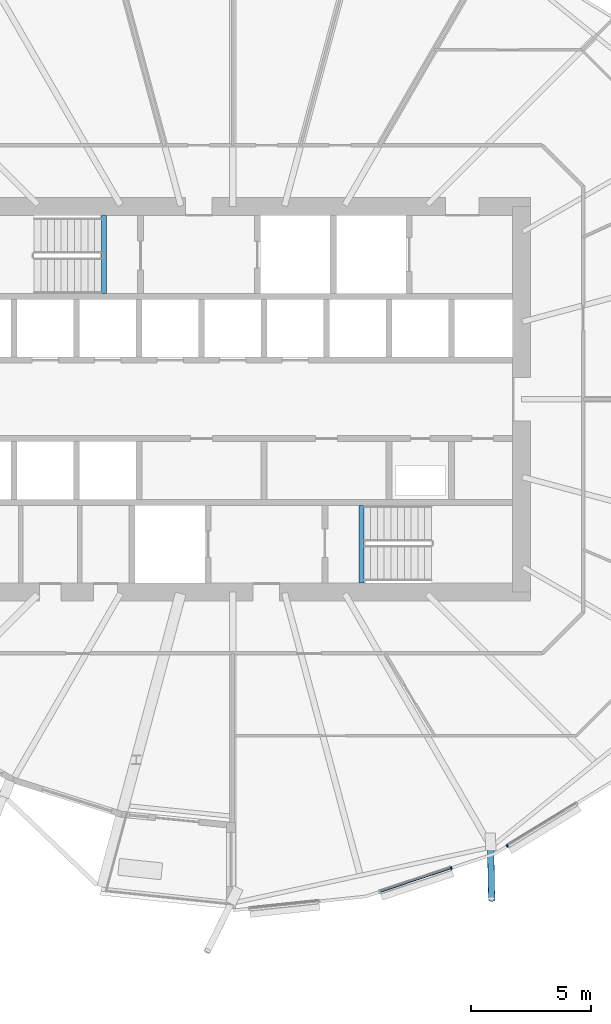
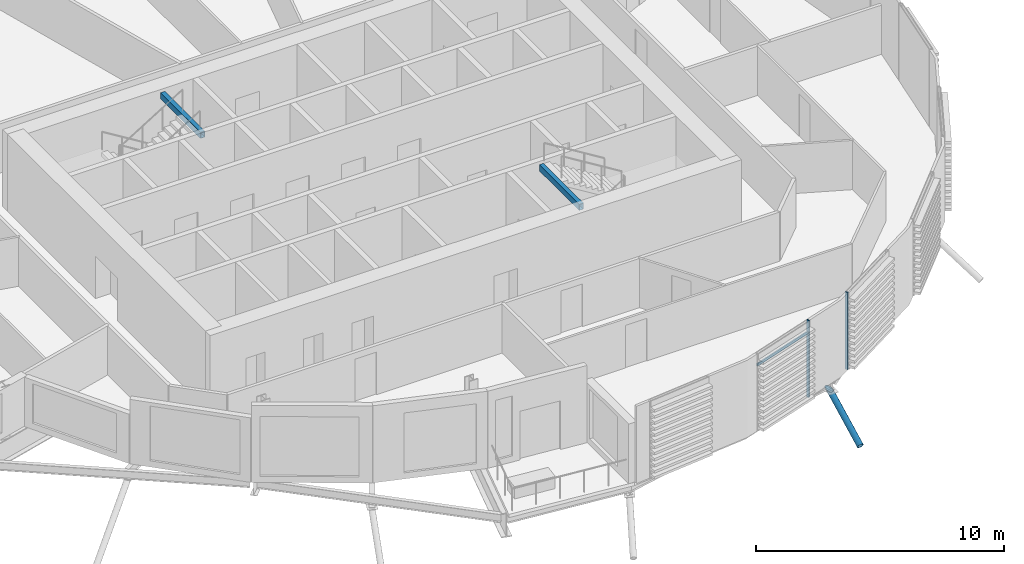
# One storey, part 6 of 43: 4 members, 2 beams, 1 element without a shape of its own.
"""IFC4 building model written with IfcOpenShell, lengths in metres."""

from ifc_helpers import new_model, si_unit, direction, frame, origin, origin_2d, place, context, subcontext, project, spatial, rectangle, hollow_rectangle, hollow_circle, extrude, clip, halfspace, material, material_profile, profile_set, type_object, element, aggregate, save


model = new_model("IFC4")

# Units and contexts
model_context = context("Model", 3, precision=1e-05, world=origin(), true_north=direction((0.0, 1.0)))
body_context = subcontext(model_context, "Body", "Model", "MODEL_VIEW")
ifc_project = project(units=[si_unit("LENGTHUNIT", "METRE"), si_unit("AREAUNIT", "SQUARE_METRE"), si_unit("VOLUMEUNIT", "CUBIC_METRE"), si_unit("PLANEANGLEUNIT", "RADIAN"), si_unit("MASSUNIT", "GRAM", prefix="KILO")], contexts=[model_context])

# Site, building, storey
site_placement = place(None, origin())
site = spatial("IfcSite", under=ifc_project, at=site_placement, CompositionType="ELEMENT")
building_placement = place(site_placement, origin())
building = spatial("IfcBuilding", under=site, at=building_placement, Name="Rimbun Link Towers", CompositionType="ELEMENT")
storey_placement = place(building_placement, frame((0.0, 0.0, 81.60009765625)))
storey = spatial("IfcBuildingStorey", under=building, at=storey_placement, Name="L19", CompositionType="ELEMENT", Elevation=81.60009765625)

# Curtain wall, members
ifc_material_1 = material(Name="Aluminium 6063-T6 and low-iron glass", Category="aluminium")
curtain_wall_type = type_object("IfcCurtainWallType", Name="CW1-Z2 unitised vision wall (zone 2)", PredefinedType="NOTDEFINED", material=ifc_material_1)
curtain_wall_placement = place(storey_placement, origin())
curtain_wall = element("IfcCurtainWall", 1, at=curtain_wall_placement, inside=storey, type_object=curtain_wall_type, Name="CW1 L19 T1", PredefinedType="NOTDEFINED")
ifc_material_2 = material(Name="Aluminium 6063-T6", Category="aluminium")
ifc_material_profile_1 = material_profile(ifc_material_2, rectangle(XDim=0.1201171875, YDim=0.06005859375, at=origin_2d()), Name="MULLION 60X120")
ifc_profile_set_1 = profile_set([ifc_material_profile_1], Name="Aluminium 6063-T6")
member_type_1 = type_object("IfcMemberType", Name="CW1 mullion 60X120", PredefinedType="MULLION", material=ifc_profile_set_1)
member_1_placement = place(storey_placement, frame((-22.6728515625, -19.468017578125, 0.0), z_axis=(0.0, 0.0, 1.0), x_axis=(0.314576015911, -0.949232284646, 0.0)))
member_1 = element("IfcMember", 2, at=member_1_placement, type_object=member_type_1, Name="CW1 mullion", PredefinedType="MULLION", context=body_context, shape_type="SweptSolid", body=[
    extrude(rectangle(XDim=0.1201171875, YDim=0.06005859375, at=origin_2d()), origin(), (0.0, 0.0, 1.0), 3.7998046875),
])
member_2_placement = place(storey_placement, frame((-20.345458984375, -18.550537109375, 0.0), z_axis=(0.0, 0.0, 1.0), x_axis=(0.523237248968, -0.852187057689, 0.0)))
member_2 = element("IfcMember", 3, at=member_2_placement, type_object=member_type_1, Name="CW1 mullion", PredefinedType="MULLION", context=body_context, shape_type="SweptSolid", body=[
    extrude(rectangle(XDim=0.1201171875, YDim=0.06005859375, at=origin_2d()), origin(), (0.0, 0.0, 1.0), 3.7998046875),
])
ifc_material_3 = material(Name="Aluminium 6063-T6", Category="aluminium")
ifc_material_profile_2 = material_profile(ifc_material_3, rectangle(XDim=0.06005859375, YDim=0.1201171875, at=origin_2d()), Name="TRANSOM 60X120")
ifc_profile_set_2 = profile_set([ifc_material_profile_2], Name="Aluminium 6063-T6")
member_type_2 = type_object("IfcMemberType", Name="CW1 transom 60X120", PredefinedType="USERDEFINED", material=ifc_profile_set_2)
member_3_placement = place(storey_placement, frame((-22.701904296875, -19.4755859375, 3.199951171875), z_axis=(-0.949238148414, -0.314558321452, 0.0), x_axis=(0.314558321452, -0.949238148414, 0.0)))
member_3 = element("IfcMember", 4, at=member_3_placement, type_object=member_type_2, Name="CW1 transom", ObjectType="TRANSOM", PredefinedType="USERDEFINED", context=body_context, shape_type="SweptSolid", body=[
    extrude(rectangle(XDim=0.06005859375, YDim=0.1201171875, at=origin_2d()), origin(), (0.0, 0.0, 1.0), 3.072021484375),
])
aggregate(curtain_wall, [member_1, member_2, member_3])

# Member
ifc_material_4 = material(Name="Steel S355J2H", Category="steel")
ifc_material_profile_3 = material_profile(ifc_material_4, hollow_circle(Radius=0.136474609375, WallThickness=0.012451171875, at=origin_2d()), Name="CHS 273x12.5")
ifc_profile_set_3 = profile_set([ifc_material_profile_3], Name="Steel S355J2H")
member_type_3 = type_object("IfcMemberType", Name="Floor edge link CHS 273x12.5", PredefinedType="BRACE", material=ifc_profile_set_3)
member_4_placement = place(storey_placement, frame((-21.040771484375, -18.549072265625, -0.96240234375), z_axis=(0.016806815258, -0.873763406869, -0.486060736717), x_axis=(0.99981505923, 0.019231415347, 0.0)))
element("IfcMember", 5, at=member_4_placement, inside=storey, type_object=member_type_3, Name="Floor edge link T1 L19 20", PredefinedType="BRACE", context=body_context, shape_type="Clipping", body=[
    clip(extrude(hollow_circle(Radius=0.136474609375, WallThickness=0.012451171875, at=origin_2d()), frame((0.0, 0.0, -0.511474609375)), (0.0, 0.0, 1.0), 3.068115234375), halfspace(frame((0.0, 0.0, -0.240234375), z_axis=(0.0, 0.873925031237, -0.486060736717)), False)),
])

# Beams
ifc_material_5 = material(Name="Steel S355J2", Category="steel")
ifc_material_profile_4 = material_profile(ifc_material_5, hollow_rectangle(XDim=0.199951171875, YDim=0.300048828125, WallThickness=0.011962890625, at=origin_2d()), Name="BOX 300x200x12")
ifc_profile_set_4 = profile_set([ifc_material_profile_4], Name="Steel S355J2")
beam_type = type_object("IfcBeamType", Name="Stair trimmer beam BOX 300x200x12", PredefinedType="BEAM", material=ifc_profile_set_4)
for number, where, z_axis, x_axis, name in (
    (6, (-37.10009765625, 7.625, 3.489990234375), (0.0, -1.0, 0.0), (1.0, 0.0, 0.0), "L19 ST1 stair beam 1"),
    (7, (-26.39990234375, -7.625, 3.489990234375), (0.0, 1.0, 0.0), (-1.0, 0.0, 0.0), "L19 ST2 stair beam 1"),
):
    element("IfcBeam", number, at=place(storey_placement, frame(where, z_axis=z_axis, x_axis=x_axis)), inside=storey, type_object=beam_type, Name=name, PredefinedType="BEAM", context=body_context, shape_type="SweptSolid", body=[
        extrude(hollow_rectangle(XDim=0.199951171875, YDim=0.300048828125, WallThickness=0.011962890625, at=origin_2d()), origin(), (0.0, 0.0, 1.0), 3.22509765625),
    ])

save(model, "model.ifc")
